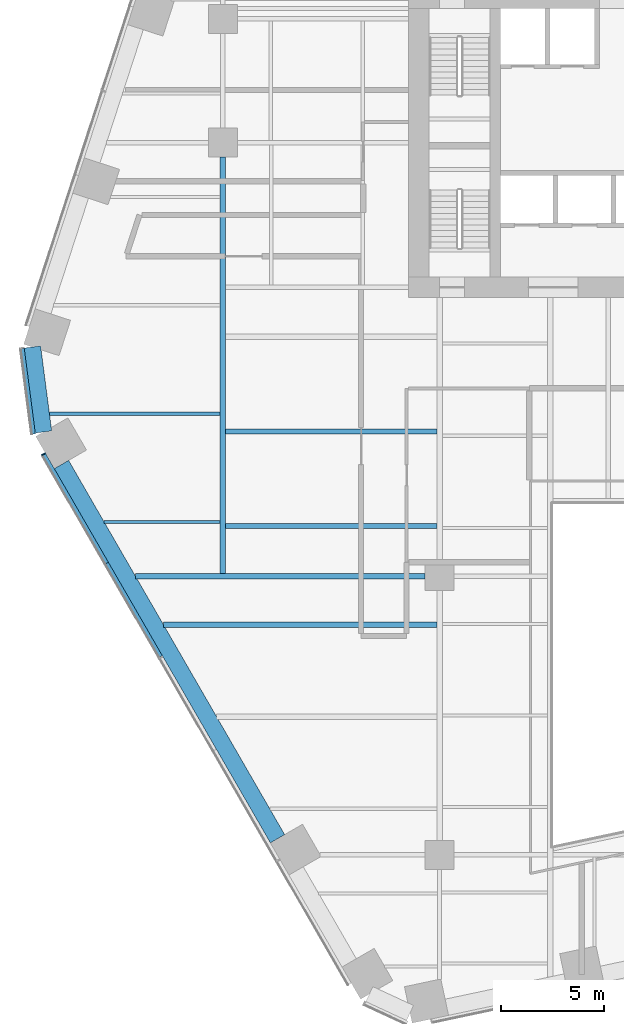
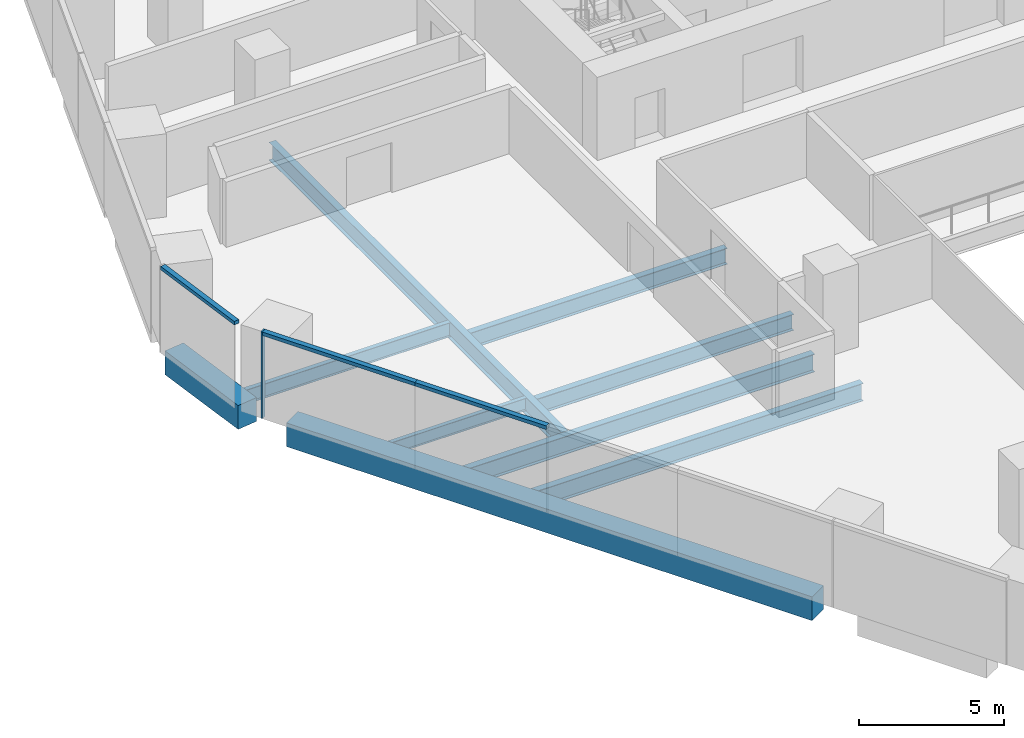
# One storey, part 3 of 21: 9 beams, 4 members, 2 elements without a shape of their own.
"""IFC4 building model written with IfcOpenShell, lengths in metres."""

import ifcopenshell
import ifcopenshell.guid

model = None  # the IFC model being written
_history = None  # IfcOwnerHistory: only IFC2X3 demands one
_inside = {}  # id of a spatial element -> (the spatial element, [elements in it])
_under = {}  # id of a project, library or spatial element -> (it, [spatial elements below it])
_declared = {}  # id of a project -> (the project, [libraries it declares])
_typed = {}  # id of a type object -> (the type object, [elements of that type])
_made_of = {}  # id of a material, layer set ... -> (it, [elements and type objects made of it])


def new_model(schema):
    """Start an empty IFC model of exactly this schema.

    Asked for "IFC4X3", IfcOpenShell would pick the latest addendum, in which some entities
    have other attributes; the version numbers below select the first issue.
    IFC2X3 requires an IfcOwnerHistory on every rooted entity: one is made here for all.
    """
    global model, _history
    if schema == "IFC4X3":
        model = ifcopenshell.file(schema_version=(4, 3, 0, 0))
    else:
        model = ifcopenshell.file(schema=schema)
    _inside.clear()
    _under.clear()
    _declared.clear()
    _typed.clear()
    _made_of.clear()
    _history = None
    if model.schema == "IFC2X3":
        org = make("IfcOrganization", Name="unknown")
        user = make(
            "IfcPersonAndOrganization",
            ThePerson=make("IfcPerson", FamilyName="unknown"),
            TheOrganization=org,
        )
        app = make(
            "IfcApplication",
            ApplicationDeveloper=org,
            Version="unknown",
            ApplicationFullName="unknown",
            ApplicationIdentifier="unknown",
        )
        _history = make(
            "IfcOwnerHistory",
            OwningUser=user,
            OwningApplication=app,
            ChangeAction="ADDED",
            CreationDate=0,
        )
    return model


def make(cls, **values):
    """One entity of the class cls with the attributes given. An attribute that is None is left unset."""
    return model.create_entity(
        cls, **{name: value for name, value in values.items() if value is not None}
    )


def rooted(cls, **values):
    """An entity with a GlobalId (a new one), such as an element, a storey or a relation."""
    return make(cls, GlobalId=ifcopenshell.guid.new(), OwnerHistory=_history, **values)


def si_unit(unit_type, name, prefix=None):
    """IfcSIUnit, for example si_unit("LENGTHUNIT", "METRE", prefix="MILLI")."""
    return make("IfcSIUnit", UnitType=unit_type, Prefix=prefix, Name=name)


def assignment(units):
    """IfcUnitAssignment: the units of a project."""
    return None if units is None else make("IfcUnitAssignment", Units=units)


def point(xyz):
    """IfcCartesianPoint."""
    return None if xyz is None else make("IfcCartesianPoint", Coordinates=xyz)


def direction(xyz):
    """IfcDirection."""
    return None if xyz is None else make("IfcDirection", DirectionRatios=xyz)


def frame(location, z_axis=None, x_axis=None):
    """IfcAxis2Placement3D, a coordinate frame: its origin and axes. An axis left out is left unset."""
    return make(
        "IfcAxis2Placement3D",
        Location=point(location),
        Axis=direction(z_axis),
        RefDirection=direction(x_axis),
    )


def frame_2d(location, x_axis=None):
    """IfcAxis2Placement2D, a coordinate frame in the plane: its origin and x axis."""
    return make(
        "IfcAxis2Placement2D", Location=point(location), RefDirection=direction(x_axis)
    )


def origin():
    """The frame at (0, 0, 0) with its axes left unset."""
    return frame((0.0, 0.0, 0.0))


def origin_2d():
    """The frame at (0, 0) in the plane with its x axis left unset."""
    return frame_2d((0.0, 0.0))


def place(relative_to, where):
    """IfcLocalPlacement: puts the frame where relative to a parent placement (None: the world)."""
    return make(
        "IfcLocalPlacement", PlacementRelTo=relative_to, RelativePlacement=where
    )


def context(
    kind, dimensions, precision=None, world=None, true_north=None, identifier=None
):
    """IfcGeometricRepresentationContext, for example the 3D "Model" context."""
    return make(
        "IfcGeometricRepresentationContext",
        ContextIdentifier=identifier,
        ContextType=kind,
        CoordinateSpaceDimension=dimensions,
        Precision=precision,
        WorldCoordinateSystem=world,
        TrueNorth=true_north,
    )


def subcontext(parent, identifier, kind, view, scale=None):
    """IfcGeometricRepresentationSubContext, for example "Body" below "Model"."""
    return make(
        "IfcGeometricRepresentationSubContext",
        ContextIdentifier=identifier,
        ContextType=kind,
        ParentContext=parent,
        TargetScale=scale,
        TargetView=view,
    )


def project(units=None, contexts=None):
    """IfcProject with its units and contexts."""
    return rooted(
        "IfcProject",
        Name="project",
        RepresentationContexts=contexts,
        UnitsInContext=assignment(units),
    )


def spatial(cls, under=None, at=None, **own):
    """A site, building, storey or space (cls), placed at a placement, below another one or the project."""
    s = rooted(cls, ObjectPlacement=at, **own)
    if under is not None:
        _under.setdefault(under.id(), (under, []))[1].append(s)
    return s


def profile(cls, at=None, kind="AREA", **sizes):
    """A parametric profile (cls). Its sizes go by their IFC names, for example OverallWidth=200.0."""
    return make(cls, ProfileType=kind, Position=at, **sizes)


def rectangle(**sizes):
    """IfcRectangleProfileDef."""
    return profile("IfcRectangleProfileDef", **sizes)


def i_section(**sizes):
    """IfcIShapeProfileDef."""
    return profile("IfcIShapeProfileDef", **sizes)


def extrude(swept, where, along, depth):
    """IfcExtrudedAreaSolid: the profile swept, set in the frame where, extruded along a direction by depth."""
    return make(
        "IfcExtrudedAreaSolid",
        SweptArea=swept,
        Position=where,
        ExtrudedDirection=direction(along),
        Depth=depth,
    )


def shape(context_of_items, identifier, shape_type, items):
    """IfcShapeRepresentation: the items that make up one representation, for example the "Body"."""
    return make(
        "IfcShapeRepresentation",
        ContextOfItems=context_of_items,
        RepresentationIdentifier=identifier,
        RepresentationType=shape_type,
        Items=items,
    )


def material(Name=None, Category=None):
    """IfcMaterial."""
    return make("IfcMaterial", Name=Name, Category=Category)


def layer(
    of_material, thickness, ventilated=None, Name=None, Category=None, Priority=None
):
    """IfcMaterialLayer: one layer of a wall or slab, of a material (None: an air gap)."""
    return make(
        "IfcMaterialLayer",
        Material=of_material,
        LayerThickness=thickness,
        IsVentilated=ventilated,
        Name=Name,
        Category=Category,
        Priority=Priority,
    )


def layer_set(layers, Name=None):
    """IfcMaterialLayerSet."""
    return make("IfcMaterialLayerSet", MaterialLayers=layers, LayerSetName=Name)


def material_profile(
    of_material, cross_section, Name=None, Category=None, Priority=None
):
    """IfcMaterialProfile: a cross section and its material."""
    return make(
        "IfcMaterialProfile",
        Name=Name,
        Material=of_material,
        Profile=cross_section,
        Priority=Priority,
        Category=Category,
    )


def profile_set(profiles, Name=None, composite=None):
    """IfcMaterialProfileSet."""
    return make(
        "IfcMaterialProfileSet",
        Name=Name,
        MaterialProfiles=profiles,
        CompositeProfile=composite,
    )


def made_of(thing, what):
    """Note that an element or type object is made of a material, layer set ...; save() writes the relation."""
    if what is not None:
        _made_of.setdefault(what.id(), (what, []))[1].append(thing)
    return thing


def type_object(cls, material=None, **own):
    """A type object (cls), such as IfcWallType, which elements share."""
    return made_of(rooted(cls, **own), material)


def element(
    cls,
    number,
    at=None,
    inside=None,
    cuts=None,
    type_object=None,
    material=None,
    context=None,
    identifier="Body",
    shape_type=None,
    held_by="IfcProductDefinitionShape",
    body=None,
    shapes=None,
    **own,
):
    """One element of the class cls, such as IfcWall. Its Tag is "e" and its number.

    at: its placement. inside: the storey or other place that contains it. cuts: it is an
    opening in that element (IfcRelVoidsElement). A single representation is given by context,
    identifier, shape_type and body (its items); several are given by shapes. held_by: the class
    of the entity that holds the representations. save() writes the other relations.
    """
    e = rooted(cls, Tag="e%d" % number, ObjectPlacement=at, **own)
    if body is not None:
        shapes = [shape(context, identifier, shape_type, body)]
    if shapes is not None:
        e.Representation = make(held_by, Representations=shapes)
    if inside is not None:
        _inside.setdefault(inside.id(), (inside, []))[1].append(e)
    if cuts is not None:
        rooted(
            "IfcRelVoidsElement", RelatingBuildingElement=cuts, RelatedOpeningElement=e
        )
    if type_object is not None:
        _typed.setdefault(type_object.id(), (type_object, []))[1].append(e)
    return made_of(e, material)


def aggregate(whole, parts):
    """IfcRelAggregates: a whole, such as a stair, and the parts it consists of."""
    return rooted("IfcRelAggregates", RelatingObject=whole, RelatedObjects=parts)


def save(model, path):
    """Write the relations noted so far, then the file.

    IfcRelAggregates (storeys below a building ...), IfcRelContainedInSpatialStructure (elements
    in a storey), IfcRelDefinesByType, IfcRelAssociatesMaterial and IfcRelDeclares: one each for
    every whole, place, type object, material and project.
    """
    for whole, parts in _under.values():
        aggregate(whole, parts)
    for where, things in _inside.values():
        rooted(
            "IfcRelContainedInSpatialStructure",
            RelatedElements=things,
            RelatingStructure=where,
        )
    for kind, things in _typed.values():
        rooted("IfcRelDefinesByType", RelatedObjects=things, RelatingType=kind)
    for what, things in _made_of.values():
        rooted("IfcRelAssociatesMaterial", RelatedObjects=things, RelatingMaterial=what)
    for by, libraries in _declared.values():
        rooted("IfcRelDeclares", RelatingContext=by, RelatedDefinitions=libraries)
    model.write(path)


model = new_model("IFC4")

# Units and contexts
model_context = context("Model", 3, precision=1e-05, world=origin(), true_north=direction((0.0, 1.0)))
body_context = subcontext(model_context, "Body", "Model", "MODEL_VIEW")
ifc_project = project(units=[si_unit("LENGTHUNIT", "METRE"), si_unit("AREAUNIT", "SQUARE_METRE"), si_unit("VOLUMEUNIT", "CUBIC_METRE"), si_unit("PLANEANGLEUNIT", "RADIAN"), si_unit("MASSUNIT", "GRAM", prefix="KILO")], contexts=[model_context])

# Site, building, storey
site_placement = place(None, origin())
site = spatial("IfcSite", under=ifc_project, at=site_placement, CompositionType="ELEMENT")
building_placement = place(site_placement, origin())
building = spatial("IfcBuilding", under=site, at=building_placement, Name="Isthmus Gate Tower", CompositionType="ELEMENT")
storey_placement = place(building_placement, frame((0.0, 0.0, 50.60009765625)))
storey = spatial("IfcBuildingStorey", under=building, at=storey_placement, Name="L10", CompositionType="ELEMENT", Elevation=50.60009765625)

# Curtain wall, member
ifc_material_1 = material(Name="Aluminium, pale champagne anodised", Category="aluminium")
ifc_layer = layer(ifc_material_1, 0.199951171875)
ifc_layer_set = layer_set([ifc_layer], Name="CW-1 UNITISED CURTAIN WALL 200 DEEP")
curtain_wall_type = type_object("IfcCurtainWallType", Name="CW-1 UNITISED CURTAIN WALL 200 DEEP", PredefinedType="NOTDEFINED", material=ifc_layer_set)
curtain_wall_1_placement = place(storey_placement, origin())
curtain_wall_1 = element("IfcCurtainWall", 1, at=curtain_wall_1_placement, inside=storey, type_object=curtain_wall_type, Name="CW-1 SW L10", PredefinedType="NOTDEFINED")
ifc_material_2 = material(Name="Aluminium, pale champagne anodised", Category="aluminium")
ifc_material_profile_1 = material_profile(ifc_material_2, rectangle(XDim=0.06005859375, YDim=0.199951171875, at=origin_2d()), Name="60x200")
ifc_profile_set_1 = profile_set([ifc_material_profile_1], Name="Aluminium, pale champagne anodised")
member_type_1 = type_object("IfcMemberType", Name="CW-1 MULLION 60 X 200", PredefinedType="MULLION", material=ifc_profile_set_1)
member_1_placement = place(storey_placement, frame((-32.685302734375, -7.58740234375, 0.0), z_axis=(0.0, 0.0, 1.0), x_axis=(0.5, -0.866025403784, 0.0)))
member_1 = element("IfcMember", 2, at=member_1_placement, type_object=member_type_1, Name="CW-1 mullion", PredefinedType="MULLION", context=body_context, shape_type="SweptSolid", body=[
    extrude(rectangle(XDim=0.06005859375, YDim=0.199951171875, at=origin_2d()), origin(), (0.0, 0.0, 1.0), 3.64990234375),
])

curtain_wall_2_placement = place(storey_placement, origin())
curtain_wall_2 = element("IfcCurtainWall", 3, at=curtain_wall_2_placement, inside=storey, type_object=curtain_wall_type, Name="CW-1 NW-SW L10", PredefinedType="NOTDEFINED")
ifc_material_3 = material(Name="Aluminium, pale champagne anodised", Category="aluminium")
ifc_material_profile_2 = material_profile(ifc_material_3, rectangle(XDim=0.199951171875, YDim=0.14990234375, at=origin_2d()), Name="200x150")
ifc_profile_set_2 = profile_set([ifc_material_profile_2], Name="Aluminium, pale champagne anodised")
member_type_2 = type_object("IfcMemberType", Name="CW-1 TRANSOM 200 X 150", PredefinedType="USERDEFINED", material=ifc_profile_set_2)
member_2_placement = place(storey_placement, frame((-33.71923828125, -2.474609375, 3.574951171875), z_axis=(0.129206893318, -0.991617657527, 0.0), x_axis=(0.991617657527, 0.129206893318, 0.0)))
member_2 = element("IfcMember", 4, at=member_2_placement, type_object=member_type_2, Name="CW-1 transom", ObjectType="TRANSOM", PredefinedType="USERDEFINED", context=body_context, shape_type="SweptSolid", body=[
    extrude(rectangle(XDim=0.199951171875, YDim=0.14990234375, at=origin_2d()), origin(), (0.0, 0.0, 1.0), 4.181640625),
])
aggregate(curtain_wall_2, [member_2])

# Member
member_3_placement = place(storey_placement, frame((-32.67041015625, -7.61328125, 3.574951171875), z_axis=(0.49999965181, -0.866025604812, 0.0), x_axis=(0.866025604812, 0.49999965181, 0.0)))
member_3 = element("IfcMember", 5, at=member_3_placement, type_object=member_type_2, Name="CW-1 transom", ObjectType="TRANSOM", PredefinedType="USERDEFINED", context=body_context, shape_type="SweptSolid", body=[
    extrude(rectangle(XDim=0.199951171875, YDim=0.14990234375, at=origin_2d()), origin(), (0.0, 0.0, 1.0), 6.07373046875),
])

member_4_placement = place(storey_placement, frame((-29.633544921875, -12.873291015625, 3.574951171875), z_axis=(0.500017221754, -0.866015460572, 0.0), x_axis=(0.866015460572, 0.500017221754, 0.0)))
member_4 = element("IfcMember", 6, at=member_4_placement, type_object=member_type_2, Name="CW-1 transom", ObjectType="TRANSOM", PredefinedType="USERDEFINED", context=body_context, shape_type="SweptSolid", body=[
    extrude(rectangle(XDim=0.199951171875, YDim=0.14990234375, at=origin_2d()), origin(), (0.0, 0.0, 1.0), 5.233642578125),
])

aggregate(curtain_wall_1, [member_1, member_3, member_4])

# Beams
ifc_material_4 = material(Name="Concrete f'c 70 MPa", Category="concrete")
ifc_material_profile_3 = material_profile(ifc_material_4, rectangle(XDim=0.800048828125, YDim=1.0, at=origin_2d()), Name="RC 800X1000")
ifc_profile_set_3 = profile_set([ifc_material_profile_3], Name="Concrete f'c 70 MPa")
beam_type_1 = type_object("IfcBeamType", Name="RC SPANDREL 800 X 1000", PredefinedType="SPANDREL", material=ifc_profile_set_3)
beam_1_placement = place(storey_placement, frame((-21.35009765625, -26.220458984375, -0.5), z_axis=(-0.500004778811, 0.866022644719, 0.0), x_axis=(-0.866022644719, -0.500004778811, 0.0)))
element("IfcBeam", 7, at=beam_1_placement, inside=storey, type_object=beam_type_1, Name="str-spandrel-L10-16", PredefinedType="SPANDREL", context=body_context, shape_type="SweptSolid", body=[
    extrude(rectangle(XDim=0.800048828125, YDim=1.0, at=origin_2d()), origin(), (0.0, 0.0, 1.0), 20.934326171875),
])
beam_2_placement = place(storey_placement, frame((-32.6884765625, -6.515380859375, -0.5), z_axis=(-0.129170777359, 0.991622362735, 0.0), x_axis=(-0.991622362735, -0.129170777359, 0.0)))
element("IfcBeam", 8, at=beam_2_placement, inside=storey, type_object=beam_type_1, Name="str-spandrel-L10-17", PredefinedType="SPANDREL", context=body_context, shape_type="SweptSolid", body=[
    extrude(rectangle(XDim=0.800048828125, YDim=1.0, at=origin_2d()), origin(), (0.0, 0.0, 1.0), 4.15234375),
])
ifc_material_5 = material(Name="Structural steel ASTM A992 Gr 50", Category="steel")
ifc_material_profile_4 = material_profile(ifc_material_5, i_section(OverallWidth=0.1650390625, OverallDepth=0.52392578125, WebThickness=0.009521484375, FlangeThickness=0.010986328125, at=origin_2d()), Name="W21X44")
ifc_profile_set_4 = profile_set([ifc_material_profile_4], Name="Structural steel ASTM A992 Gr 50")
beam_type_2 = type_object("IfcBeamType", Name="STEEL FLOOR BEAM W21X44", PredefinedType="JOIST", material=ifc_profile_set_4)
beam_3_placement = place(storey_placement, frame((-29.748046875, -10.875, -0.412109375), z_axis=(1.0, 0.0, 0.0), x_axis=(0.0, 1.0, 0.0)))
element("IfcBeam", 9, at=beam_3_placement, inside=storey, type_object=beam_type_2, Name="str-beam-L10-00-00", PredefinedType="JOIST", context=body_context, shape_type="SweptSolid", body=[
    extrude(i_section(OverallWidth=0.1650390625, OverallDepth=0.52392578125, WebThickness=0.009521484375, FlangeThickness=0.010986328125, at=origin_2d()), origin(), (0.0, 0.0, 1.0), 5.61474609375),
])
ifc_material_6 = material(Name="Structural steel ASTM A992 Gr 50", Category="steel")
ifc_material_profile_5 = material_profile(ifc_material_6, i_section(OverallWidth=0.177734375, OverallDepth=0.60009765625, WebThickness=0.009521484375, FlangeThickness=0.0126953125, at=origin_2d()), Name="W24X55")
ifc_profile_set_5 = profile_set([ifc_material_profile_5], Name="Structural steel ASTM A992 Gr 50")
beam_type_3 = type_object("IfcBeamType", Name="STEEL FLOOR BEAM W24X55", PredefinedType="JOIST", material=ifc_profile_set_5)
beam_4_placement = place(storey_placement, frame((-32.401123046875, -5.625, -0.4501953125), z_axis=(1.0, 0.0, 0.0), x_axis=(0.0, 1.0, 0.0)))
element("IfcBeam", 10, at=beam_4_placement, inside=storey, type_object=beam_type_3, Name="str-beam-L10-00-01", PredefinedType="JOIST", context=body_context, shape_type="SweptSolid", body=[
    extrude(i_section(OverallWidth=0.177734375, OverallDepth=0.60009765625, WebThickness=0.009521484375, FlangeThickness=0.0126953125, at=origin_2d()), origin(), (0.0, 0.0, 1.0), 8.267822265625),
])
ifc_material_7 = material(Name="Structural steel ASTM A992 Gr 50", Category="steel")
ifc_material_profile_6 = material_profile(ifc_material_7, i_section(OverallWidth=0.25390625, OverallDepth=0.679443359375, WebThickness=0.010986328125, FlangeThickness=0.015869140625, at=origin_2d()), Name="W27X84")
ifc_profile_set_6 = profile_set([ifc_material_profile_6], Name="Structural steel ASTM A992 Gr 50")
beam_type_4 = type_object("IfcBeamType", Name="STEEL FLOOR BEAM W27X84", PredefinedType="JOIST", material=ifc_profile_set_6)
for number, where, z_axis, x_axis, name in (
    (11, (-23.86669921875, -11.07470703125, -0.48974609375), (1.0, 0.0, 0.0), (0.0, 1.0, 0.0), "str-beam-L10-07-00"),
    (12, (-23.86669921875, -6.490478515625, -0.48974609375), (1.0, 0.0, 0.0), (0.0, 1.0, 0.0), "str-beam-L10-07-01"),
):
    element("IfcBeam", number, at=place(storey_placement, frame(where, z_axis=z_axis, x_axis=x_axis)), inside=storey, type_object=beam_type_4, Name=name, PredefinedType="JOIST", context=body_context, shape_type="SweptSolid", body=[
        extrude(i_section(OverallWidth=0.25390625, OverallDepth=0.679443359375, WebThickness=0.010986328125, FlangeThickness=0.015869140625, at=origin_2d()), origin(), (0.0, 0.0, 1.0), 10.23486328125),
    ])
ifc_material_8 = material(Name="Structural steel ASTM A992 Gr 50", Category="steel")
ifc_material_profile_7 = material_profile(ifc_material_8, i_section(OverallWidth=0.263427734375, OverallDepth=0.749267578125, WebThickness=0.0126953125, FlangeThickness=0.015869140625, at=origin_2d()), Name="W30X90")
ifc_profile_set_7 = profile_set([ifc_material_profile_7], Name="Structural steel ASTM A992 Gr 50")
beam_type_5 = type_object("IfcBeamType", Name="STEEL FLOOR BEAM W30X90", PredefinedType="JOIST", material=ifc_profile_set_7)
beam_5_placement = place(storey_placement, frame((-26.869140625, -15.861083984375, -0.524658203125), z_axis=(1.0, 0.0, 0.0), x_axis=(0.0, 1.0, 0.0)))
element("IfcBeam", 13, at=beam_5_placement, inside=storey, type_object=beam_type_5, Name="str-beam-L10-05-02", PredefinedType="JOIST", context=body_context, shape_type="SweptSolid", body=[
    extrude(i_section(OverallWidth=0.263427734375, OverallDepth=0.749267578125, WebThickness=0.0126953125, FlangeThickness=0.015869140625, at=origin_2d()), origin(), (0.0, 0.0, 1.0), 13.2373046875),
])
ifc_material_9 = material(Name="Structural steel ASTM A992 Gr 50", Category="steel")
ifc_material_profile_8 = material_profile(ifc_material_9, i_section(OverallWidth=0.2666015625, OverallDepth=0.7587890625, WebThickness=0.014404296875, FlangeThickness=0.01904296875, at=origin_2d()), Name="W30X108")
ifc_profile_set_8 = profile_set([ifc_material_profile_8], Name="Structural steel ASTM A992 Gr 50")
beam_type_6 = type_object("IfcBeamType", Name="STEEL GIRDER W30X108", PredefinedType="BEAM", material=ifc_profile_set_8)
beam_6_placement = place(storey_placement, frame((-28.232421875, -13.5, -0.529541015625), z_axis=(1.0, 0.0, 0.0), x_axis=(0.0, 1.0, 0.0)))
element("IfcBeam", 14, at=beam_6_placement, inside=storey, type_object=beam_type_6, Name="str-girder-L10-05", PredefinedType="BEAM", context=body_context, shape_type="SweptSolid", body=[
    extrude(i_section(OverallWidth=0.2666015625, OverallDepth=0.7587890625, WebThickness=0.014404296875, FlangeThickness=0.01904296875, at=origin_2d()), origin(), (0.0, 0.0, 1.0), 14.032470703125),
])
beam_7_placement = place(storey_placement, frame((-24.0, -13.36669921875, -0.529541015625), z_axis=(0.0, 1.0, 0.0), x_axis=(-1.0, 0.0, 0.0)))
element("IfcBeam", 15, at=beam_7_placement, inside=storey, type_object=beam_type_6, Name="str-girder-L10-20", PredefinedType="BEAM", context=body_context, shape_type="SweptSolid", body=[
    extrude(i_section(OverallWidth=0.2666015625, OverallDepth=0.7587890625, WebThickness=0.014404296875, FlangeThickness=0.01904296875, at=origin_2d()), origin(), (0.0, 0.0, 1.0), 20.166748046875),
])

save(model, "model.ifc")
